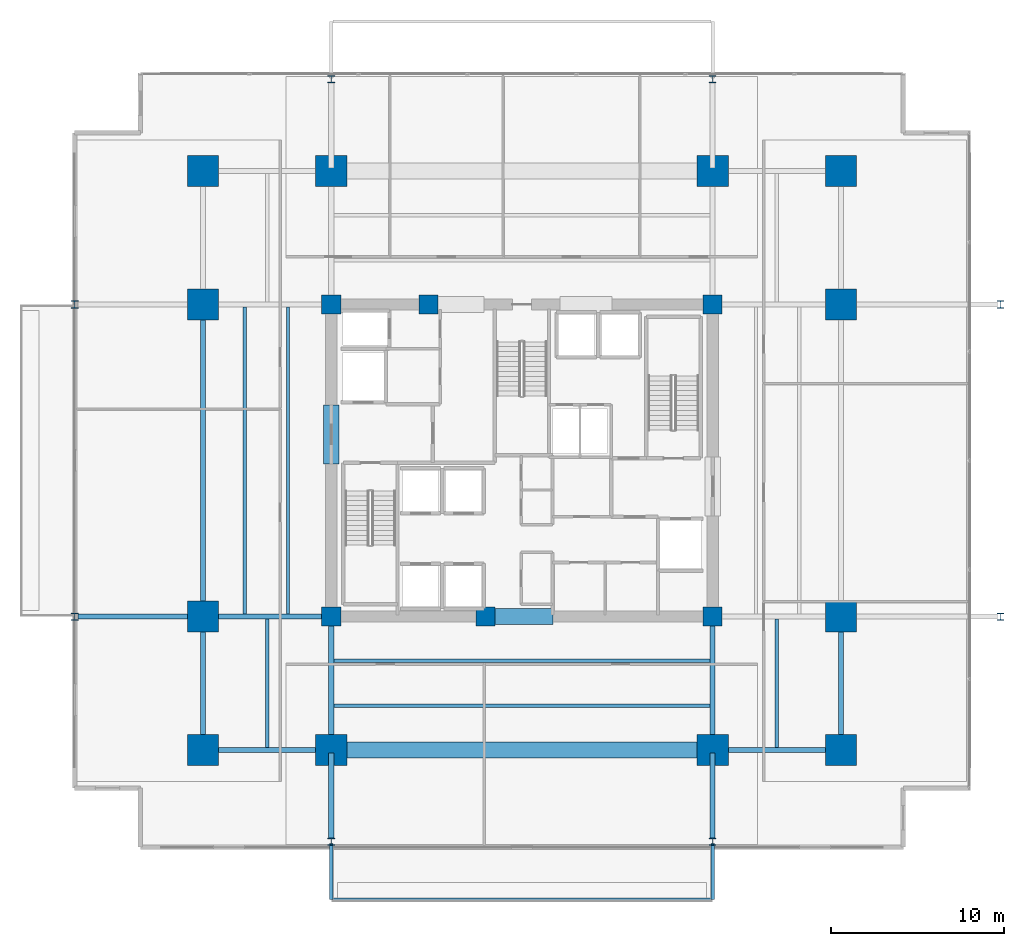
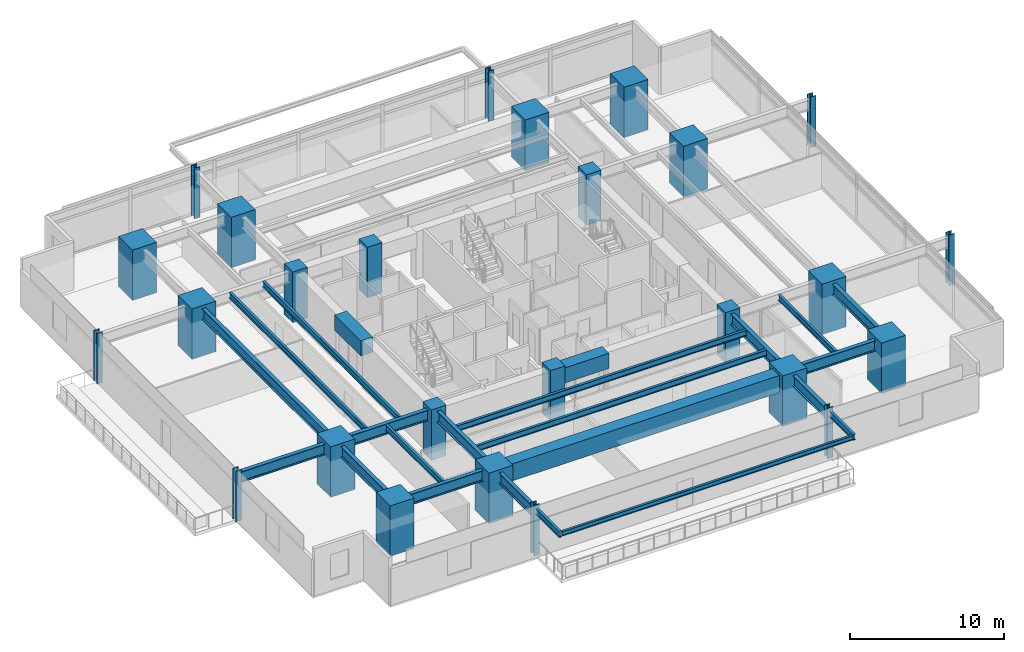
# One storey, part 1 of 22: 26 columns, 23 beams.
"""IFC4 building model written with IfcOpenShell, lengths in metres."""

import ifcopenshell
import ifcopenshell.guid

model = None  # the IFC model being written
_history = None  # IfcOwnerHistory: only IFC2X3 demands one
_inside = {}  # id of a spatial element -> (the spatial element, [elements in it])
_under = {}  # id of a project, library or spatial element -> (it, [spatial elements below it])
_declared = {}  # id of a project -> (the project, [libraries it declares])
_typed = {}  # id of a type object -> (the type object, [elements of that type])
_made_of = {}  # id of a material, layer set ... -> (it, [elements and type objects made of it])


def new_model(schema):
    """Start an empty IFC model of exactly this schema.

    Asked for "IFC4X3", IfcOpenShell would pick the latest addendum, in which some entities
    have other attributes; the version numbers below select the first issue.
    IFC2X3 requires an IfcOwnerHistory on every rooted entity: one is made here for all.
    """
    global model, _history
    if schema == "IFC4X3":
        model = ifcopenshell.file(schema_version=(4, 3, 0, 0))
    else:
        model = ifcopenshell.file(schema=schema)
    _inside.clear()
    _under.clear()
    _declared.clear()
    _typed.clear()
    _made_of.clear()
    _history = None
    if model.schema == "IFC2X3":
        org = make("IfcOrganization", Name="unknown")
        user = make(
            "IfcPersonAndOrganization",
            ThePerson=make("IfcPerson", FamilyName="unknown"),
            TheOrganization=org,
        )
        app = make(
            "IfcApplication",
            ApplicationDeveloper=org,
            Version="unknown",
            ApplicationFullName="unknown",
            ApplicationIdentifier="unknown",
        )
        _history = make(
            "IfcOwnerHistory",
            OwningUser=user,
            OwningApplication=app,
            ChangeAction="ADDED",
            CreationDate=0,
        )
    return model


def make(cls, **values):
    """One entity of the class cls with the attributes given. An attribute that is None is left unset."""
    return model.create_entity(
        cls, **{name: value for name, value in values.items() if value is not None}
    )


def rooted(cls, **values):
    """An entity with a GlobalId (a new one), such as an element, a storey or a relation."""
    return make(cls, GlobalId=ifcopenshell.guid.new(), OwnerHistory=_history, **values)


def si_unit(unit_type, name, prefix=None):
    """IfcSIUnit, for example si_unit("LENGTHUNIT", "METRE", prefix="MILLI")."""
    return make("IfcSIUnit", UnitType=unit_type, Prefix=prefix, Name=name)


def assignment(units):
    """IfcUnitAssignment: the units of a project."""
    return None if units is None else make("IfcUnitAssignment", Units=units)


def point(xyz):
    """IfcCartesianPoint."""
    return None if xyz is None else make("IfcCartesianPoint", Coordinates=xyz)


def direction(xyz):
    """IfcDirection."""
    return None if xyz is None else make("IfcDirection", DirectionRatios=xyz)


def frame(location, z_axis=None, x_axis=None):
    """IfcAxis2Placement3D, a coordinate frame: its origin and axes. An axis left out is left unset."""
    return make(
        "IfcAxis2Placement3D",
        Location=point(location),
        Axis=direction(z_axis),
        RefDirection=direction(x_axis),
    )


def frame_2d(location, x_axis=None):
    """IfcAxis2Placement2D, a coordinate frame in the plane: its origin and x axis."""
    return make(
        "IfcAxis2Placement2D", Location=point(location), RefDirection=direction(x_axis)
    )


def origin():
    """The frame at (0, 0, 0) with its axes left unset."""
    return frame((0.0, 0.0, 0.0))


def origin_2d():
    """The frame at (0, 0) in the plane with its x axis left unset."""
    return frame_2d((0.0, 0.0))


def place(relative_to, where):
    """IfcLocalPlacement: puts the frame where relative to a parent placement (None: the world)."""
    return make(
        "IfcLocalPlacement", PlacementRelTo=relative_to, RelativePlacement=where
    )


def context(
    kind, dimensions, precision=None, world=None, true_north=None, identifier=None
):
    """IfcGeometricRepresentationContext, for example the 3D "Model" context."""
    return make(
        "IfcGeometricRepresentationContext",
        ContextIdentifier=identifier,
        ContextType=kind,
        CoordinateSpaceDimension=dimensions,
        Precision=precision,
        WorldCoordinateSystem=world,
        TrueNorth=true_north,
    )


def subcontext(parent, identifier, kind, view, scale=None):
    """IfcGeometricRepresentationSubContext, for example "Body" below "Model"."""
    return make(
        "IfcGeometricRepresentationSubContext",
        ContextIdentifier=identifier,
        ContextType=kind,
        ParentContext=parent,
        TargetScale=scale,
        TargetView=view,
    )


def project(units=None, contexts=None):
    """IfcProject with its units and contexts."""
    return rooted(
        "IfcProject",
        Name="project",
        RepresentationContexts=contexts,
        UnitsInContext=assignment(units),
    )


def spatial(cls, under=None, at=None, **own):
    """A site, building, storey or space (cls), placed at a placement, below another one or the project."""
    s = rooted(cls, ObjectPlacement=at, **own)
    if under is not None:
        _under.setdefault(under.id(), (under, []))[1].append(s)
    return s


def profile(cls, at=None, kind="AREA", **sizes):
    """A parametric profile (cls). Its sizes go by their IFC names, for example OverallWidth=200.0."""
    return make(cls, ProfileType=kind, Position=at, **sizes)


def rectangle(**sizes):
    """IfcRectangleProfileDef."""
    return profile("IfcRectangleProfileDef", **sizes)


def i_section(**sizes):
    """IfcIShapeProfileDef."""
    return profile("IfcIShapeProfileDef", **sizes)


def extrude(swept, where, along, depth):
    """IfcExtrudedAreaSolid: the profile swept, set in the frame where, extruded along a direction by depth."""
    return make(
        "IfcExtrudedAreaSolid",
        SweptArea=swept,
        Position=where,
        ExtrudedDirection=direction(along),
        Depth=depth,
    )


def shape(context_of_items, identifier, shape_type, items):
    """IfcShapeRepresentation: the items that make up one representation, for example the "Body"."""
    return make(
        "IfcShapeRepresentation",
        ContextOfItems=context_of_items,
        RepresentationIdentifier=identifier,
        RepresentationType=shape_type,
        Items=items,
    )


def material(Name=None, Category=None):
    """IfcMaterial."""
    return make("IfcMaterial", Name=Name, Category=Category)


def material_profile(
    of_material, cross_section, Name=None, Category=None, Priority=None
):
    """IfcMaterialProfile: a cross section and its material."""
    return make(
        "IfcMaterialProfile",
        Name=Name,
        Material=of_material,
        Profile=cross_section,
        Priority=Priority,
        Category=Category,
    )


def profile_set(profiles, Name=None, composite=None):
    """IfcMaterialProfileSet."""
    return make(
        "IfcMaterialProfileSet",
        Name=Name,
        MaterialProfiles=profiles,
        CompositeProfile=composite,
    )


def made_of(thing, what):
    """Note that an element or type object is made of a material, layer set ...; save() writes the relation."""
    if what is not None:
        _made_of.setdefault(what.id(), (what, []))[1].append(thing)
    return thing


def type_object(cls, material=None, **own):
    """A type object (cls), such as IfcWallType, which elements share."""
    return made_of(rooted(cls, **own), material)


def element(
    cls,
    number,
    at=None,
    inside=None,
    cuts=None,
    type_object=None,
    material=None,
    context=None,
    identifier="Body",
    shape_type=None,
    held_by="IfcProductDefinitionShape",
    body=None,
    shapes=None,
    **own,
):
    """One element of the class cls, such as IfcWall. Its Tag is "e" and its number.

    at: its placement. inside: the storey or other place that contains it. cuts: it is an
    opening in that element (IfcRelVoidsElement). A single representation is given by context,
    identifier, shape_type and body (its items); several are given by shapes. held_by: the class
    of the entity that holds the representations. save() writes the other relations.
    """
    e = rooted(cls, Tag="e%d" % number, ObjectPlacement=at, **own)
    if body is not None:
        shapes = [shape(context, identifier, shape_type, body)]
    if shapes is not None:
        e.Representation = make(held_by, Representations=shapes)
    if inside is not None:
        _inside.setdefault(inside.id(), (inside, []))[1].append(e)
    if cuts is not None:
        rooted(
            "IfcRelVoidsElement", RelatingBuildingElement=cuts, RelatedOpeningElement=e
        )
    if type_object is not None:
        _typed.setdefault(type_object.id(), (type_object, []))[1].append(e)
    return made_of(e, material)


def aggregate(whole, parts):
    """IfcRelAggregates: a whole, such as a stair, and the parts it consists of."""
    return rooted("IfcRelAggregates", RelatingObject=whole, RelatedObjects=parts)


def save(model, path):
    """Write the relations noted so far, then the file.

    IfcRelAggregates (storeys below a building ...), IfcRelContainedInSpatialStructure (elements
    in a storey), IfcRelDefinesByType, IfcRelAssociatesMaterial and IfcRelDeclares: one each for
    every whole, place, type object, material and project.
    """
    for whole, parts in _under.values():
        aggregate(whole, parts)
    for where, things in _inside.values():
        rooted(
            "IfcRelContainedInSpatialStructure",
            RelatedElements=things,
            RelatingStructure=where,
        )
    for kind, things in _typed.values():
        rooted("IfcRelDefinesByType", RelatedObjects=things, RelatingType=kind)
    for what, things in _made_of.values():
        rooted("IfcRelAssociatesMaterial", RelatedObjects=things, RelatingMaterial=what)
    for by, libraries in _declared.values():
        rooted("IfcRelDeclares", RelatingContext=by, RelatedDefinitions=libraries)
    model.write(path)


model = new_model("IFC4")

# Units and contexts
model_context = context("Model", 3, precision=1e-05, world=origin(), true_north=direction((0.0, 1.0)))
body_context = subcontext(model_context, "Body", "Model", "MODEL_VIEW")
ifc_project = project(units=[si_unit("LENGTHUNIT", "METRE"), si_unit("AREAUNIT", "SQUARE_METRE"), si_unit("VOLUMEUNIT", "CUBIC_METRE"), si_unit("PLANEANGLEUNIT", "RADIAN"), si_unit("MASSUNIT", "GRAM", prefix="KILO")], contexts=[model_context])

# Site, building, storey
site_placement = place(None, origin())
site = spatial("IfcSite", under=ifc_project, at=site_placement, CompositionType="ELEMENT")
building_placement = place(site_placement, origin())
building = spatial("IfcBuilding", under=site, at=building_placement, Name="Kovane Verandah Tower", CompositionType="ELEMENT")
storey_placement = place(building_placement, frame((0.0, 0.0, 59.60009765625)))
storey = spatial("IfcBuildingStorey", under=building, at=storey_placement, Name="L13", CompositionType="ELEMENT", Elevation=59.60009765625)

# Columns
ifc_material_1 = material(Name="Concrete C80/95", Category="concrete")
ifc_material_profile_1 = material_profile(ifc_material_1, rectangle(XDim=1.800048828125, YDim=1.800048828125, at=origin_2d()), Name="RC1800x1800")
ifc_profile_set_1 = profile_set([ifc_material_profile_1], Name="Concrete C80/95")
column_type_1 = type_object("IfcColumnType", Name="COL-RC1800", PredefinedType="COLUMN", material=ifc_profile_set_1)
for number, where, z_axis, x_axis, name in (
    (1, (29.0, 10.800048828125, 0.0), (0.0, 0.0, 1.0), (1.0, 0.0, 0.0), "L13 Tower Mega-Column MC-S1"),
    (2, (51.0, 10.800048828125, 0.0), (0.0, 0.0, 1.0), (1.0, 0.0, 0.0), "L13 Tower Mega-Column MC-S2"),
    (3, (29.0, 44.199951171875, 0.0), (0.0, 0.0, 1.0), (1.0, 0.0, 0.0), "L13 Tower Mega-Column MC-N1"),
    (4, (51.0, 44.199951171875, 0.0), (0.0, 0.0, 1.0), (1.0, 0.0, 0.0), "L13 Tower Mega-Column MC-N2"),
    (5, (21.60009765625, 18.5, 0.0), (0.0, 0.0, 1.0), (1.0, 0.0, 0.0), "L13 Tower Mega-Column MC-W1"),
    (6, (21.60009765625, 36.5, 0.0), (0.0, 0.0, 1.0), (1.0, 0.0, 0.0), "L13 Tower Mega-Column MC-W2"),
    (7, (58.39990234375, 18.5, 0.0), (0.0, 0.0, 1.0), (1.0, 0.0, 0.0), "L13 Tower Mega-Column MC-E1"),
    (8, (58.39990234375, 36.5, 0.0), (0.0, 0.0, 1.0), (1.0, 0.0, 0.0), "L13 Tower Mega-Column MC-E2"),
    (9, (21.60009765625, 10.800048828125, 0.0), (0.0, 0.0, 1.0), (1.0, 0.0, 0.0), "L13 Tower Mega-Column MC-SW"),
    (10, (58.39990234375, 10.800048828125, 0.0), (0.0, 0.0, 1.0), (1.0, 0.0, 0.0), "L13 Tower Mega-Column MC-SE"),
    (11, (21.60009765625, 44.199951171875, 0.0), (0.0, 0.0, 1.0), (1.0, 0.0, 0.0), "L13 Tower Mega-Column MC-NW"),
    (12, (58.39990234375, 44.199951171875, 0.0), (0.0, 0.0, 1.0), (1.0, 0.0, 0.0), "L13 Tower Mega-Column MC-NE"),
):
    element("IfcColumn", number, at=place(storey_placement, frame(where, z_axis=z_axis, x_axis=x_axis)), inside=storey, type_object=column_type_1, Name=name, PredefinedType="COLUMN", context=body_context, shape_type="SweptSolid", body=[
        extrude(rectangle(XDim=1.800048828125, YDim=1.800048828125, at=origin_2d()), origin(), (0.0, 0.0, 1.0), 4.0),
    ])
ifc_material_2 = material(Name="Steel S460", Category="steel")
ifc_material_profile_2 = material_profile(ifc_material_2, i_section(OverallWidth=0.412109375, OverallDepth=0.4365234375, WebThickness=0.035888671875, FlangeThickness=0.05810546875, FilletRadius=0.01513671875, at=origin_2d()), Name="UC356x406x467")
ifc_profile_set_2 = profile_set([ifc_material_profile_2], Name="Steel S460")
column_type_2 = type_object("IfcColumnType", Name="COL-UC467", PredefinedType="COLUMN", material=ifc_profile_set_2)
for number, where, z_axis, x_axis, name in (
    (13, (14.199951171875, 18.5, 0.0), (0.0, 0.0, 1.0), (1.0, 0.0, 0.0), "L13 Verandah Perimeter Column VC-W1"),
    (14, (14.199951171875, 36.5, 0.0), (0.0, 0.0, 1.0), (1.0, 0.0, 0.0), "L13 Verandah Perimeter Column VC-W2"),
    (15, (67.60009765625, 18.5, 0.0), (0.0, 0.0, 1.0), (1.0, 0.0, 0.0), "L13 Verandah Perimeter Column VC-E1"),
    (16, (67.60009765625, 36.5, 0.0), (0.0, 0.0, 1.0), (1.0, 0.0, 0.0), "L13 Verandah Perimeter Column VC-E2"),
    (17, (29.0, 5.5, 0.0), (0.0, 0.0, 1.0), (1.0, 0.0, 0.0), "L13 Verandah Perimeter Column VC-S1"),
    (18, (51.0, 5.5, 0.0), (0.0, 0.0, 1.0), (1.0, 0.0, 0.0), "L13 Verandah Perimeter Column VC-S2"),
    (19, (29.0, 49.5, 0.0), (0.0, 0.0, 1.0), (1.0, 0.0, 0.0), "L13 Verandah Perimeter Column VC-N1"),
    (20, (51.0, 49.5, 0.0), (0.0, 0.0, 1.0), (1.0, 0.0, 0.0), "L13 Verandah Perimeter Column VC-N2"),
):
    element("IfcColumn", number, at=place(storey_placement, frame(where, z_axis=z_axis, x_axis=x_axis)), inside=storey, type_object=column_type_2, Name=name, PredefinedType="COLUMN", context=body_context, shape_type="SweptSolid", body=[
        extrude(i_section(OverallWidth=0.412109375, OverallDepth=0.4365234375, WebThickness=0.035888671875, FlangeThickness=0.05810546875, FilletRadius=0.01513671875, at=origin_2d()), origin(), (0.0, 0.0, 1.0), 4.0),
    ])
ifc_material_profile_3 = material_profile(ifc_material_1, rectangle(XDim=1.10009765625, YDim=1.10009765625, at=origin_2d()), Name="RC1100x1100")
ifc_profile_set_3 = profile_set([ifc_material_profile_3], Name="Concrete C80/95")
column_type_3 = type_object("IfcColumnType", Name="PIL-RC1100", PredefinedType="PILASTER", material=ifc_profile_set_3)
for number, where, z_axis, x_axis, name in (
    (21, (29.0, 18.5, 0.0), (0.0, 0.0, 1.0), (1.0, 0.0, 0.0), "L13 Core Pilaster CP-SW"),
    (22, (51.0, 18.5, 0.0), (0.0, 0.0, 1.0), (1.0, 0.0, 0.0), "L13 Core Pilaster CP-SE"),
    (23, (29.0, 36.5, 0.0), (0.0, 0.0, 1.0), (1.0, 0.0, 0.0), "L13 Core Pilaster CP-NW"),
    (24, (51.0, 36.5, 0.0), (0.0, 0.0, 1.0), (1.0, 0.0, 0.0), "L13 Core Pilaster CP-NE"),
    (25, (37.89990234375, 18.5, 0.0), (0.0, 0.0, 1.0), (1.0, 0.0, 0.0), "L13 Core Pilaster CP-S"),
    (26, (34.60009765625, 36.5, 0.0), (0.0, 0.0, 1.0), (1.0, 0.0, 0.0), "L13 Core Pilaster CP-N"),
):
    element("IfcColumn", number, at=place(storey_placement, frame(where, z_axis=z_axis, x_axis=x_axis)), inside=storey, type_object=column_type_3, Name=name, PredefinedType="PILASTER", context=body_context, shape_type="SweptSolid", body=[
        extrude(rectangle(XDim=1.10009765625, YDim=1.10009765625, at=origin_2d()), origin(), (0.0, 0.0, 1.0), 4.0),
    ])

# Beams
ifc_material_profile_4 = material_profile(ifc_material_1, rectangle(XDim=0.89990234375, YDim=1.199951171875, at=origin_2d()), Name="RCB900x1200")
ifc_profile_set_4 = profile_set([ifc_material_profile_4], Name="Concrete C80/95")
beam_type_1 = type_object("IfcBeamType", Name="BM-LINTEL-900x1200", PredefinedType="LINTEL", material=ifc_profile_set_4)
beam_1_placement = place(storey_placement, frame((38.199951171875, 18.5, 3.159912109375), z_axis=(1.0, 0.0, 0.0), x_axis=(0.0, 1.0, 0.0)))
element("IfcBeam", 27, at=beam_1_placement, inside=storey, type_object=beam_type_1, Name="L13 Core Coupling Lintel CL-S", PredefinedType="LINTEL", context=body_context, shape_type="SweptSolid", body=[
    extrude(rectangle(XDim=0.89990234375, YDim=1.199951171875, at=origin_2d()), origin(), (0.0, 0.0, 1.0), 3.60009765625),
])
beam_2_placement = place(storey_placement, frame((29.0, 27.300048828125, 3.159912109375), z_axis=(0.0, 1.0, 0.0), x_axis=(-1.0, 0.0, 0.0)))
element("IfcBeam", 28, at=beam_2_placement, inside=storey, type_object=beam_type_1, Name="L13 Core Coupling Lintel CL-W", PredefinedType="LINTEL", context=body_context, shape_type="SweptSolid", body=[
    extrude(rectangle(XDim=0.89990234375, YDim=1.199951171875, at=origin_2d()), origin(), (0.0, 0.0, 1.0), 3.39990234375),
])
ifc_material_profile_5 = material_profile(ifc_material_1, rectangle(XDim=0.89990234375, YDim=1.35009765625, at=origin_2d()), Name="RCB900x1350")
ifc_profile_set_5 = profile_set([ifc_material_profile_5], Name="Concrete C80/95")
beam_type_2 = type_object("IfcBeamType", Name="BM-TR-900x1350", PredefinedType="BEAM", material=ifc_profile_set_5)
beam_3_placement = place(storey_placement, frame((29.179931640625, 10.800048828125, 3.0849609375), z_axis=(1.0, 0.0, 0.0), x_axis=(0.0, 1.0, 0.0)))
element("IfcBeam", 29, at=beam_3_placement, inside=storey, type_object=beam_type_2, Name="L13 Primary Tower Girder G-RS2", PredefinedType="BEAM", context=body_context, shape_type="SweptSolid", body=[
    extrude(rectangle(XDim=0.89990234375, YDim=1.35009765625, at=origin_2d()), origin(), (0.0, 0.0, 1.0), 21.64013671875),
])
ifc_material_3 = material(Name="Steel S355", Category="steel")
ifc_material_profile_6 = material_profile(ifc_material_3, i_section(OverallWidth=0.293701171875, OverallDepth=0.850830078125, WebThickness=0.01611328125, FlangeThickness=0.02685546875, FilletRadius=0.017822265625, at=origin_2d()), Name="UB838x292x226")
ifc_profile_set_6 = profile_set([ifc_material_profile_6], Name="Steel S355")
beam_type_3 = type_object("IfcBeamType", Name="BM-UB838x226", PredefinedType="BEAM", material=ifc_profile_set_6)
for number, where, z_axis, x_axis, name in (
    (30, (21.780029296875, 10.800048828125, 3.33447265625), (1.0, 0.0, 0.0), (0.0, 1.0, 0.0), "L13 Primary Tower Girder G-RS1"),
    (31, (51.179931640625, 10.800048828125, 3.33447265625), (1.0, 0.0, 0.0), (0.0, 1.0, 0.0), "L13 Primary Tower Girder G-RS3"),
):
    element("IfcBeam", number, at=place(storey_placement, frame(where, z_axis=z_axis, x_axis=x_axis)), inside=storey, type_object=beam_type_3, Name=name, PredefinedType="BEAM", context=body_context, shape_type="SweptSolid", body=[
        extrude(i_section(OverallWidth=0.293701171875, OverallDepth=0.850830078125, WebThickness=0.01611328125, FlangeThickness=0.02685546875, FilletRadius=0.017822265625, at=origin_2d()), origin(), (0.0, 0.0, 1.0), 7.0400390625),
    ])
beam_4_placement = place(storey_placement, frame((21.60009765625, 10.97998046875, 3.33447265625), z_axis=(0.0, 1.0, 0.0), x_axis=(-1.0, 0.0, 0.0)))
element("IfcBeam", 32, at=beam_4_placement, inside=storey, type_object=beam_type_3, Name="L13 Primary Tower Girder G-RW1", PredefinedType="BEAM", context=body_context, shape_type="SweptSolid", body=[
    extrude(i_section(OverallWidth=0.293701171875, OverallDepth=0.850830078125, WebThickness=0.01611328125, FlangeThickness=0.02685546875, FilletRadius=0.017822265625, at=origin_2d()), origin(), (0.0, 0.0, 1.0), 7.340087890625),
])
beam_5_placement = place(storey_placement, frame((21.60009765625, 18.679931640625, 3.33447265625), z_axis=(0.0, 1.0, 0.0), x_axis=(-1.0, 0.0, 0.0)))
element("IfcBeam", 33, at=beam_5_placement, inside=storey, type_object=beam_type_3, Name="L13 Primary Tower Girder G-RW2", PredefinedType="BEAM", context=body_context, shape_type="SweptSolid", body=[
    extrude(i_section(OverallWidth=0.293701171875, OverallDepth=0.850830078125, WebThickness=0.01611328125, FlangeThickness=0.02685546875, FilletRadius=0.017822265625, at=origin_2d()), origin(), (0.0, 0.0, 1.0), 17.64013671875),
])
beam_6_placement = place(storey_placement, frame((58.39990234375, 10.97998046875, 3.33447265625), z_axis=(0.0, 1.0, 0.0), x_axis=(-1.0, 0.0, 0.0)))
element("IfcBeam", 34, at=beam_6_placement, inside=storey, type_object=beam_type_3, Name="L13 Primary Tower Girder G-RE1", PredefinedType="BEAM", context=body_context, shape_type="SweptSolid", body=[
    extrude(i_section(OverallWidth=0.293701171875, OverallDepth=0.850830078125, WebThickness=0.01611328125, FlangeThickness=0.02685546875, FilletRadius=0.017822265625, at=origin_2d()), origin(), (0.0, 0.0, 1.0), 7.340087890625),
])
beam_7_placement = place(storey_placement, frame((28.820068359375, 18.5, 3.33447265625), z_axis=(-1.0, 0.0, 0.0), x_axis=(0.0, -1.0, 0.0)))
element("IfcBeam", 35, at=beam_7_placement, inside=storey, type_object=beam_type_3, Name="L13 Primary Tower Girder G-W1", PredefinedType="BEAM", context=body_context, shape_type="SweptSolid", body=[
    extrude(i_section(OverallWidth=0.293701171875, OverallDepth=0.850830078125, WebThickness=0.01611328125, FlangeThickness=0.02685546875, FilletRadius=0.017822265625, at=origin_2d()), origin(), (0.0, 0.0, 1.0), 7.0400390625),
])
for number, where, z_axis, x_axis, name in (
    (36, (29.0, 18.320068359375, 3.33447265625), (0.0, -1.0, 0.0), (1.0, 0.0, 0.0), "L13 Primary Tower Girder G-S1"),
    (37, (51.0, 18.320068359375, 3.33447265625), (0.0, -1.0, 0.0), (1.0, 0.0, 0.0), "L13 Primary Tower Girder G-S2"),
):
    element("IfcBeam", number, at=place(storey_placement, frame(where, z_axis=z_axis, x_axis=x_axis)), inside=storey, type_object=beam_type_3, Name=name, PredefinedType="BEAM", context=body_context, shape_type="SweptSolid", body=[
        extrude(i_section(OverallWidth=0.293701171875, OverallDepth=0.850830078125, WebThickness=0.01611328125, FlangeThickness=0.02685546875, FilletRadius=0.017822265625, at=origin_2d()), origin(), (0.0, 0.0, 1.0), 7.340087890625),
    ])
beam_8_placement = place(storey_placement, frame((21.419921875, 18.5, 3.33447265625), z_axis=(-1.0, 0.0, 0.0), x_axis=(0.0, -1.0, 0.0)))
element("IfcBeam", 38, at=beam_8_placement, inside=storey, type_object=beam_type_3, Name="L13 Primary Tower Girder G-VW1", PredefinedType="BEAM", context=body_context, shape_type="SweptSolid", body=[
    extrude(i_section(OverallWidth=0.293701171875, OverallDepth=0.850830078125, WebThickness=0.01611328125, FlangeThickness=0.02685546875, FilletRadius=0.017822265625, at=origin_2d()), origin(), (0.0, 0.0, 1.0), 7.0400390625),
])
for number, where, z_axis, x_axis, name in (
    (39, (29.0, 10.6201171875, 3.33447265625), (0.0, -1.0, 0.0), (1.0, 0.0, 0.0), "L13 Primary Tower Girder G-VS1"),
    (40, (51.0, 10.6201171875, 3.33447265625), (0.0, -1.0, 0.0), (1.0, 0.0, 0.0), "L13 Primary Tower Girder G-VS2"),
):
    element("IfcBeam", number, at=place(storey_placement, frame(where, z_axis=z_axis, x_axis=x_axis)), inside=storey, type_object=beam_type_3, Name=name, PredefinedType="BEAM", context=body_context, shape_type="SweptSolid", body=[
        extrude(i_section(OverallWidth=0.293701171875, OverallDepth=0.850830078125, WebThickness=0.01611328125, FlangeThickness=0.02685546875, FilletRadius=0.017822265625, at=origin_2d()), origin(), (0.0, 0.0, 1.0), 4.940185546875),
    ])
ifc_material_profile_7 = material_profile(ifc_material_3, i_section(OverallWidth=0.19287109375, OverallDepth=0.46728515625, WebThickness=0.011474609375, FlangeThickness=0.01953125, FilletRadius=0.01025390625, at=origin_2d()), Name="UB457x191x98")
ifc_profile_set_7 = profile_set([ifc_material_profile_7], Name="Steel S355")
beam_type_4 = type_object("IfcBeamType", Name="JST-UB457x98", PredefinedType="JOIST", material=ifc_profile_set_7)
for number, where, z_axis, x_axis, name in (
    (41, (29.14501953125, 13.35009765625, 3.5263671875), (1.0, 0.0, 0.0), (0.0, 1.0, 0.0), "L13 Secondary Composite Joist J-S1"),
    (42, (29.14501953125, 15.949951171875, 3.5263671875), (1.0, 0.0, 0.0), (0.0, 1.0, 0.0), "L13 Secondary Composite Joist J-S2"),
):
    element("IfcBeam", number, at=place(storey_placement, frame(where, z_axis=z_axis, x_axis=x_axis)), inside=storey, type_object=beam_type_4, Name=name, PredefinedType="JOIST", context=body_context, shape_type="SweptSolid", body=[
        extrude(i_section(OverallWidth=0.19287109375, OverallDepth=0.46728515625, WebThickness=0.011474609375, FlangeThickness=0.01953125, FilletRadius=0.01025390625, at=origin_2d()), origin(), (0.0, 0.0, 1.0), 21.7099609375),
    ])
for number, where, z_axis, x_axis, name in (
    (43, (24.0, 18.64501953125, 3.5263671875), (0.0, 1.0, 0.0), (-1.0, 0.0, 0.0), "L13 Secondary Composite Joist J-W1"),
    (44, (26.5, 18.64501953125, 3.5263671875), (0.0, 1.0, 0.0), (-1.0, 0.0, 0.0), "L13 Secondary Composite Joist J-W2"),
):
    element("IfcBeam", number, at=place(storey_placement, frame(where, z_axis=z_axis, x_axis=x_axis)), inside=storey, type_object=beam_type_4, Name=name, PredefinedType="JOIST", context=body_context, shape_type="SweptSolid", body=[
        extrude(i_section(OverallWidth=0.19287109375, OverallDepth=0.46728515625, WebThickness=0.011474609375, FlangeThickness=0.01953125, FilletRadius=0.01025390625, at=origin_2d()), origin(), (0.0, 0.0, 1.0), 17.7099609375),
    ])
for number, where, z_axis, x_axis, name in (
    (45, (25.300048828125, 10.94482421875, 3.5263671875), (0.0, 1.0, 0.0), (-1.0, 0.0, 0.0), "L13 Secondary Composite Joist J-SW1"),
    (46, (54.699951171875, 10.94482421875, 3.5263671875), (0.0, 1.0, 0.0), (-1.0, 0.0, 0.0), "L13 Secondary Composite Joist J-SE1"),
):
    element("IfcBeam", number, at=place(storey_placement, frame(where, z_axis=z_axis, x_axis=x_axis)), inside=storey, type_object=beam_type_4, Name=name, PredefinedType="JOIST", context=body_context, shape_type="SweptSolid", body=[
        extrude(i_section(OverallWidth=0.19287109375, OverallDepth=0.46728515625, WebThickness=0.011474609375, FlangeThickness=0.01953125, FilletRadius=0.01025390625, at=origin_2d()), origin(), (0.0, 0.0, 1.0), 7.41015625),
    ])
for number, where, z_axis, x_axis, name in (
    (47, (29.0, 5.419921875, 3.5263671875), (0.0, -1.0, 0.0), (1.0, 0.0, 0.0), "L13 South Planter Girder 1"),
    (48, (51.0, 5.419921875, 3.5263671875), (0.0, -1.0, 0.0), (1.0, 0.0, 0.0), "L13 South Planter Girder 2"),
):
    element("IfcBeam", number, at=place(storey_placement, frame(where, z_axis=z_axis, x_axis=x_axis)), inside=storey, type_object=beam_type_4, Name=name, PredefinedType="JOIST", context=body_context, shape_type="SweptSolid", body=[
        extrude(i_section(OverallWidth=0.19287109375, OverallDepth=0.46728515625, WebThickness=0.011474609375, FlangeThickness=0.01953125, FilletRadius=0.01025390625, at=origin_2d()), origin(), (0.0, 0.0, 1.0), 3.244873046875),
    ])
ifc_material_profile_8 = material_profile(ifc_material_3, i_section(OverallWidth=0.173095703125, OverallDepth=0.36328125, WebThickness=0.009033203125, FlangeThickness=0.015625, FilletRadius=0.01025390625, at=origin_2d()), Name="UB356x171x67")
ifc_profile_set_8 = profile_set([ifc_material_profile_8], Name="Steel S355")
beam_type_5 = type_object("IfcBeamType", Name="SPD-UB356x67", PredefinedType="USERDEFINED", material=ifc_profile_set_8)
beam_9_placement = place(storey_placement, frame((29.094482421875, 2.175048828125, 3.578125), z_axis=(1.0, 0.0, 0.0), x_axis=(0.0, 1.0, 0.0)))
element("IfcBeam", 49, at=beam_9_placement, inside=storey, type_object=beam_type_5, Name="L13 South Planter Edge Spandrel", ObjectType="SPANDREL", PredefinedType="USERDEFINED", context=body_context, shape_type="SweptSolid", body=[
    extrude(i_section(OverallWidth=0.173095703125, OverallDepth=0.36328125, WebThickness=0.009033203125, FlangeThickness=0.015625, FilletRadius=0.01025390625, at=origin_2d()), origin(), (0.0, 0.0, 1.0), 21.81103515625),
])

save(model, "model.ifc")
